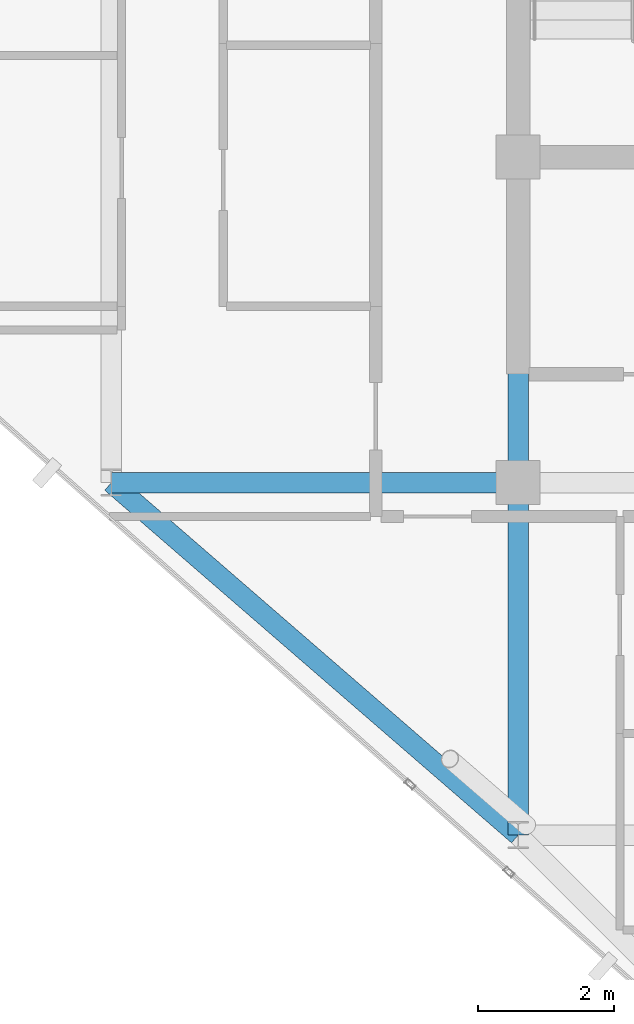
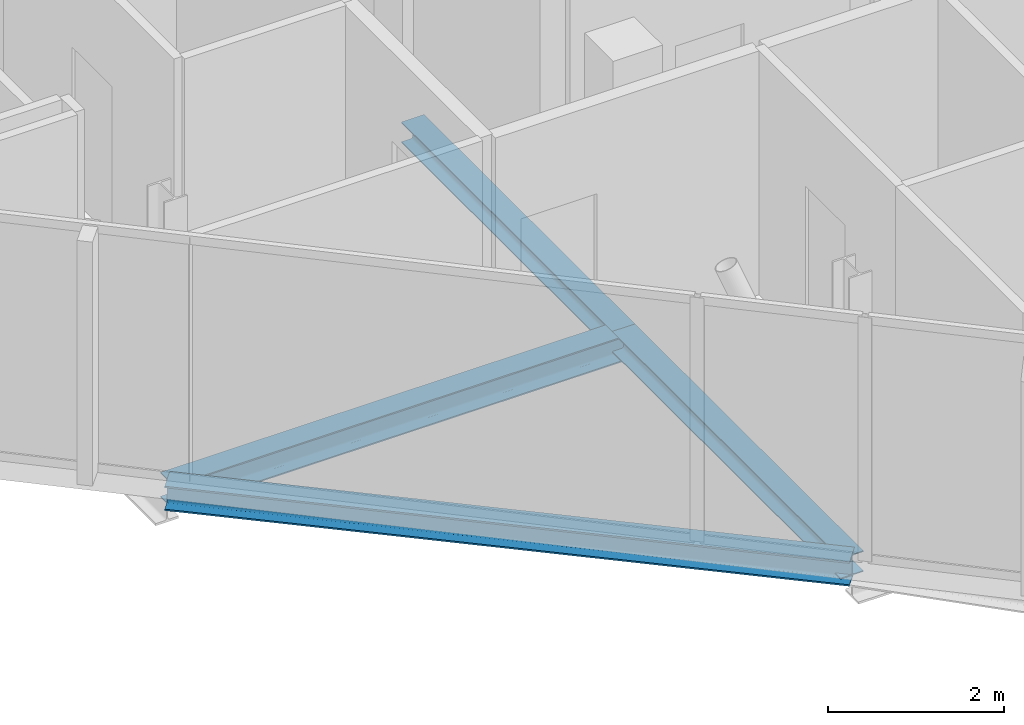
# One storey, part 5 of 27: 4 beams.
"""IFC4 building model written with IfcOpenShell, lengths in metres."""

from ifc_helpers import new_model, si_unit, direction, frame, origin, origin_2d, place, context, subcontext, project, spatial, i_section, extrude, material, material_profile, profile_set, type_object, element, save


model = new_model("IFC4")

# Units and contexts
model_context = context("Model", 3, precision=1e-05, world=origin(), true_north=direction((0.0, 1.0)))
body_context = subcontext(model_context, "Body", "Model", "MODEL_VIEW")
ifc_project = project(units=[si_unit("LENGTHUNIT", "METRE"), si_unit("AREAUNIT", "SQUARE_METRE"), si_unit("VOLUMEUNIT", "CUBIC_METRE"), si_unit("PLANEANGLEUNIT", "RADIAN"), si_unit("MASSUNIT", "GRAM", prefix="KILO")], contexts=[model_context])

# Site, building, storey
site_placement = place(None, origin())
site = spatial("IfcSite", under=ifc_project, at=site_placement, CompositionType="ELEMENT")
building_placement = place(site_placement, origin())
building = spatial("IfcBuilding", under=site, at=building_placement, Name="Keshet Zoharim Tower", CompositionType="ELEMENT")
storey_placement = place(building_placement, frame((0.0, 0.0, 288.0)))
storey = spatial("IfcBuildingStorey", under=building, at=storey_placement, Name="L72", CompositionType="ELEMENT", Elevation=288.0)

# Beams
ifc_material = material(Name="Steel S355", Category="steel")
ifc_material_profile_1 = material_profile(ifc_material, i_section(OverallWidth=0.300048828125, OverallDepth=0.2900390625, WebThickness=0.008544921875, FlangeThickness=0.013916015625, FilletRadius=0.027099609375, at=origin_2d()), Name="HEA300")
ifc_profile_set_1 = profile_set([ifc_material_profile_1], Name="Steel S355")
beam_type_1 = type_object("IfcBeamType", Name="BM-PRI-HA300", PredefinedType="BEAM", material=ifc_profile_set_1)
beam_1_placement = place(storey_placement, frame((15.0, 12.699951171875, -0.455078125), z_axis=(0.0, 1.0, 0.0), x_axis=(-1.0, 0.0, 0.0)))
element("IfcBeam", 1, at=beam_1_placement, inside=storey, type_object=beam_type_1, Name="L72 Primary Girder Y-002", PredefinedType="BEAM", context=body_context, shape_type="SweptSolid", body=[
    extrude(i_section(OverallWidth=0.300048828125, OverallDepth=0.2900390625, WebThickness=0.008544921875, FlangeThickness=0.013916015625, FilletRadius=0.027099609375, at=origin_2d()), origin(), (0.0, 0.0, 1.0), 5.199951171875),
])
beam_2_placement = place(storey_placement, frame((15.0, 17.89990234375, -0.455078125), z_axis=(0.0, 1.0, 0.0), x_axis=(-1.0, 0.0, 0.0)))
element("IfcBeam", 2, at=beam_2_placement, inside=storey, type_object=beam_type_1, Name="L72 Primary Girder Y-003", PredefinedType="BEAM", context=body_context, shape_type="SweptSolid", body=[
    extrude(i_section(OverallWidth=0.300048828125, OverallDepth=0.2900390625, WebThickness=0.008544921875, FlangeThickness=0.013916015625, FilletRadius=0.027099609375, at=origin_2d()), origin(), (0.0, 0.0, 1.0), 4.800048828125),
])
ifc_material_profile_2 = material_profile(ifc_material, i_section(OverallWidth=0.300048828125, OverallDepth=0.35009765625, WebThickness=0.010009765625, FlangeThickness=0.017578125, FilletRadius=0.027099609375, at=origin_2d()), Name="HEA360")
ifc_profile_set_2 = profile_set([ifc_material_profile_2], Name="Steel S355")
beam_type_2 = type_object("IfcBeamType", Name="BM-PRI-HA360", PredefinedType="BEAM", material=ifc_profile_set_2)
beam_3_placement = place(storey_placement, frame((9.0, 17.89990234375, -0.485107421875), z_axis=(1.0, 0.0, 0.0), x_axis=(0.0, 1.0, 0.0)))
element("IfcBeam", 3, at=beam_3_placement, inside=storey, type_object=beam_type_2, Name="L72 Primary Girder X-005", PredefinedType="BEAM", context=body_context, shape_type="SweptSolid", body=[
    extrude(i_section(OverallWidth=0.300048828125, OverallDepth=0.35009765625, WebThickness=0.010009765625, FlangeThickness=0.017578125, FilletRadius=0.027099609375, at=origin_2d()), origin(), (0.0, 0.0, 1.0), 6.0),
])
ifc_material_profile_3 = material_profile(ifc_material, i_section(OverallWidth=0.300048828125, OverallDepth=0.340087890625, WebThickness=0.011962890625, FlangeThickness=0.021484375, FilletRadius=0.027099609375, at=origin_2d()), Name="HEB340")
ifc_profile_set_3 = profile_set([ifc_material_profile_3], Name="Steel S355")
beam_type_3 = type_object("IfcBeamType", Name="BM-SPN-HB340", PredefinedType="SPANDREL", material=ifc_profile_set_3)
beam_4_placement = place(storey_placement, frame((9.0, 17.89990234375, -0.47998046875), z_axis=(0.755692126483, -0.654927026447, 0.0), x_axis=(0.654927026447, 0.755692126483, 0.0)))
element("IfcBeam", 4, at=beam_4_placement, inside=storey, type_object=beam_type_3, Name="L72 Perimeter Spandrel Beam 02", PredefinedType="SPANDREL", context=body_context, shape_type="SweptSolid", body=[
    extrude(i_section(OverallWidth=0.300048828125, OverallDepth=0.340087890625, WebThickness=0.011962890625, FlangeThickness=0.021484375, FilletRadius=0.027099609375, at=origin_2d()), origin(), (0.0, 0.0, 1.0), 7.939697265625),
])

save(model, "model.ifc")
